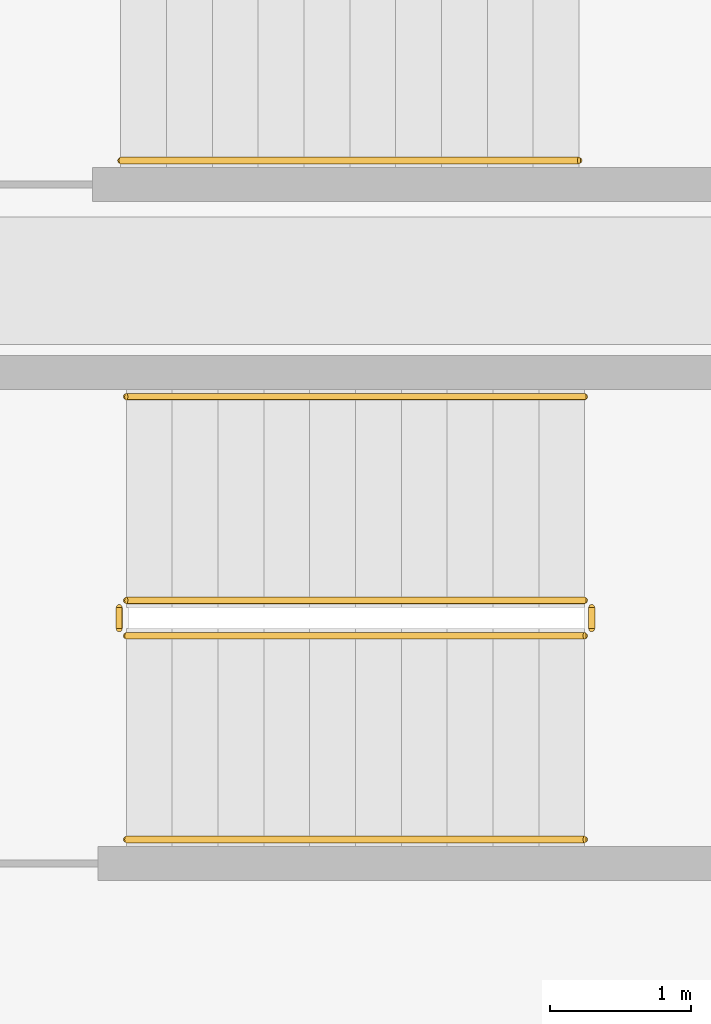
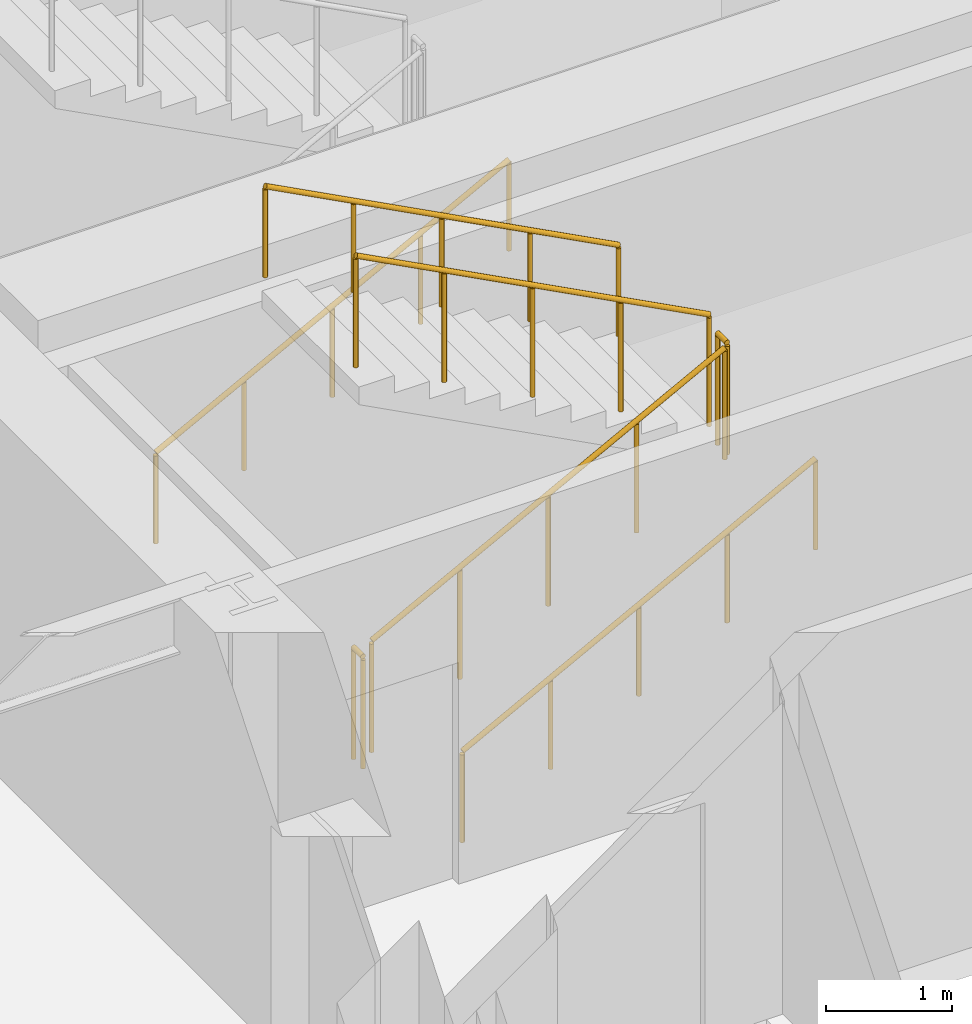
# One storey, part 12 of 15: 7 railings.
"""IFC4 building model written with IfcOpenShell, lengths in metres."""

from ifc_helpers import new_model, si_unit, direction, frame, origin, origin_2d, place, context, subcontext, project, spatial, circle, extrude, material, type_object, element, save


model = new_model("IFC4")

# Units and contexts
model_context = context("Model", 3, precision=1e-05, world=origin(), true_north=direction((0.0, 1.0)))
body_context = subcontext(model_context, "Body", "Model", "MODEL_VIEW")
ifc_project = project(units=[si_unit("LENGTHUNIT", "METRE"), si_unit("AREAUNIT", "SQUARE_METRE"), si_unit("VOLUMEUNIT", "CUBIC_METRE"), si_unit("PLANEANGLEUNIT", "RADIAN"), si_unit("MASSUNIT", "GRAM", prefix="KILO")], contexts=[model_context])

# Site, building, storey
site_placement = place(None, origin())
site = spatial("IfcSite", under=ifc_project, at=site_placement, CompositionType="ELEMENT")
building_placement = place(site_placement, origin())
building = spatial("IfcBuilding", under=site, at=building_placement, Name="Kolvaren Arena Tower", CompositionType="ELEMENT")
storey_placement = place(building_placement, frame((0.0, 0.0, 107.199951171875)))
storey = spatial("IfcBuildingStorey", under=building, at=storey_placement, Name="L24", CompositionType="ELEMENT", Elevation=107.199951171875)

# Railings
ifc_material_1 = material(Name="Painted galvanized steel", Category="steel")
railing_type_1 = type_object("IfcRailingType", Name="GUARD-ST-110", PredefinedType="GUARDRAIL", material=ifc_material_1)
railing_1_placement = place(storey_placement, frame((52.719970703125, 31.639892578125, 0.17041015625)))
element("IfcRailing", 1, at=railing_1_placement, inside=storey, type_object=railing_type_1, Name="L24 ST-E1 stair guard 1", PredefinedType="GUARDRAIL", context=body_context, shape_type="SweptSolid", body=[
    extrude(circle(Radius=0.02392578125, at=origin_2d()), frame((0.0, 0.0, 1.076171875), z_axis=(0.884993431791, 0.0, 0.465603506952), x_axis=(0.0, 1.0, 0.0)), (0.0, 0.0, 1.0), 3.6611328125),
    extrude(circle(Radius=0.02099609375, at=origin_2d()), origin(), (0.0, 0.0, 1.0), 1.052001953125),
    extrude(circle(Radius=0.02099609375, at=origin_2d()), frame((0.81005859375, 0.0, 0.42626953125)), (0.0, 0.0, 1.0), 1.052001953125),
    extrude(circle(Radius=0.02099609375, at=origin_2d()), frame((1.6201171875, 0.0, 0.852294921875)), (0.0, 0.0, 1.0), 1.052001953125),
    extrude(circle(Radius=0.02099609375, at=origin_2d()), frame((2.429931640625, 0.0, 1.2783203125)), (0.0, 0.0, 1.0), 1.052001953125),
    extrude(circle(Radius=0.02099609375, at=origin_2d()), frame((3.239990234375, 0.0, 1.70458984375)), (0.0, 0.0, 1.0), 1.052001953125),
])
railing_2_placement = place(storey_placement, frame((56.010009765625, 31.68994140625, 1.875)))
element("IfcRailing", 2, at=railing_2_placement, inside=storey, type_object=railing_type_1, Name="L24 ST-E1 stair guard 2", PredefinedType="GUARDRAIL", context=body_context, shape_type="SweptSolid", body=[
    extrude(circle(Radius=0.02392578125, at=origin_2d()), frame((0.0, 0.0, 1.076171875), z_axis=(0.0, 1.0, 0.0), x_axis=(-1.0, 0.0, 0.0)), (0.0, 0.0, 1.0), 0.150146484375),
    extrude(circle(Radius=0.02099609375, at=origin_2d()), origin(), (0.0, 0.0, 1.0), 1.052001953125),
    extrude(circle(Radius=0.02099609375, at=origin_2d()), frame((0.0, 0.150146484375, 0.0)), (0.0, 0.0, 1.0), 1.052001953125),
])
railing_3_placement = place(storey_placement, frame((55.9599609375, 31.889892578125, 2.04541015625)))
element("IfcRailing", 3, at=railing_3_placement, inside=storey, type_object=railing_type_1, Name="L24 ST-E1 stair guard 3", PredefinedType="GUARDRAIL", context=body_context, shape_type="SweptSolid", body=[
    extrude(circle(Radius=0.02392578125, at=origin_2d()), frame((0.0, 0.0, 1.076171875), z_axis=(-0.884993431791, 0.0, 0.465603506952), x_axis=(0.0, -1.0, 0.0)), (0.0, 0.0, 1.0), 3.6611328125),
    extrude(circle(Radius=0.02099609375, at=origin_2d()), origin(), (0.0, 0.0, 1.0), 1.052001953125),
    extrude(circle(Radius=0.02099609375, at=origin_2d()), frame((-0.81005859375, 0.0, 0.42626953125)), (0.0, 0.0, 1.0), 1.052001953125),
    extrude(circle(Radius=0.02099609375, at=origin_2d()), frame((-1.6201171875, 0.0, 0.852294921875)), (0.0, 0.0, 1.0), 1.052001953125),
    extrude(circle(Radius=0.02099609375, at=origin_2d()), frame((-2.429931640625, 0.0, 1.2783203125)), (0.0, 0.0, 1.0), 1.052001953125),
    extrude(circle(Radius=0.02099609375, at=origin_2d()), frame((-3.239990234375, 0.0, 1.70458984375)), (0.0, 0.0, 1.0), 1.052001953125),
])
railing_4_placement = place(storey_placement, frame((52.669921875, 31.68994140625, 0.0)))
element("IfcRailing", 4, at=railing_4_placement, inside=storey, type_object=railing_type_1, Name="L24 ST-E1 stair guard 4", PredefinedType="GUARDRAIL", context=body_context, shape_type="SweptSolid", body=[
    extrude(circle(Radius=0.02392578125, at=origin_2d()), frame((0.0, 0.0, 1.076171875), z_axis=(0.0, 1.0, 0.0), x_axis=(-1.0, 0.0, 0.0)), (0.0, 0.0, 1.0), 0.150146484375),
    extrude(circle(Radius=0.02099609375, at=origin_2d()), origin(), (0.0, 0.0, 1.0), 1.052001953125),
    extrude(circle(Radius=0.02099609375, at=origin_2d()), frame((0.0, 0.150146484375, 0.0)), (0.0, 0.0, 1.0), 1.052001953125),
])
ifc_material_2 = material(Name="Brushed stainless steel handrail", Category="steel")
railing_type_2 = type_object("IfcRailingType", Name="HRAIL-900", PredefinedType="HANDRAIL", material=ifc_material_2)
railing_5_placement = place(storey_placement, frame((52.719970703125, 30.199951171875, 0.17041015625)))
element("IfcRailing", 5, at=railing_5_placement, inside=storey, type_object=railing_type_2, Name="L24 ST-E1 stair handrail 1", PredefinedType="HANDRAIL", context=body_context, shape_type="SweptSolid", body=[
    extrude(circle(Radius=0.02392578125, at=origin_2d()), frame((0.0, 0.0, 0.8759765625), z_axis=(0.884993431791, 0.0, 0.465603506952), x_axis=(0.0, 1.0, 0.0)), (0.0, 0.0, 1.0), 3.6611328125),
    extrude(circle(Radius=0.02099609375, at=origin_2d()), origin(), (0.0, 0.0, 1.0), 0.851806640625),
    extrude(circle(Radius=0.02099609375, at=origin_2d()), frame((0.81005859375, 0.0, 0.42626953125)), (0.0, 0.0, 1.0), 0.851806640625),
    extrude(circle(Radius=0.02099609375, at=origin_2d()), frame((1.6201171875, 0.0, 0.852294921875)), (0.0, 0.0, 1.0), 0.851806640625),
    extrude(circle(Radius=0.02099609375, at=origin_2d()), frame((2.429931640625, 0.0, 1.2783203125)), (0.0, 0.0, 1.0), 0.851806640625),
    extrude(circle(Radius=0.02099609375, at=origin_2d()), frame((3.239990234375, 0.0, 1.70458984375)), (0.0, 0.0, 1.0), 0.851806640625),
])
railing_6_placement = place(storey_placement, frame((55.9599609375, 33.330078125, 2.04541015625)))
element("IfcRailing", 6, at=railing_6_placement, inside=storey, type_object=railing_type_2, Name="L24 ST-E1 stair handrail 2", PredefinedType="HANDRAIL", context=body_context, shape_type="SweptSolid", body=[
    extrude(circle(Radius=0.02392578125, at=origin_2d()), frame((0.0, 0.0, 0.8759765625), z_axis=(-0.884993431791, 0.0, 0.465603506952), x_axis=(0.0, -1.0, 0.0)), (0.0, 0.0, 1.0), 3.6611328125),
    extrude(circle(Radius=0.02099609375, at=origin_2d()), origin(), (0.0, 0.0, 1.0), 0.851806640625),
    extrude(circle(Radius=0.02099609375, at=origin_2d()), frame((-0.81005859375, 0.0, 0.42626953125)), (0.0, 0.0, 1.0), 0.851806640625),
    extrude(circle(Radius=0.02099609375, at=origin_2d()), frame((-1.6201171875, 0.0, 0.852294921875)), (0.0, 0.0, 1.0), 0.851806640625),
    extrude(circle(Radius=0.02099609375, at=origin_2d()), frame((-2.429931640625, 0.0, 1.2783203125)), (0.0, 0.0, 1.0), 0.851806640625),
    extrude(circle(Radius=0.02099609375, at=origin_2d()), frame((-3.239990234375, 0.0, 1.70458984375)), (0.0, 0.0, 1.0), 0.851806640625),
])
railing_7_placement = place(storey_placement, frame((52.679931640625, 35.0, 0.17041015625)))
element("IfcRailing", 7, at=railing_7_placement, inside=storey, type_object=railing_type_2, Name="L24 ST-E2 stair handrail 1", PredefinedType="HANDRAIL", context=body_context, shape_type="SweptSolid", body=[
    extrude(circle(Radius=0.02392578125, at=origin_2d()), frame((0.0, 0.0, 0.8759765625), z_axis=(0.884993431791, 0.0, 0.465603506952), x_axis=(0.0, 1.0, 0.0)), (0.0, 0.0, 1.0), 3.6611328125),
    extrude(circle(Radius=0.02099609375, at=origin_2d()), origin(), (0.0, 0.0, 1.0), 0.851806640625),
    extrude(circle(Radius=0.02099609375, at=origin_2d()), frame((0.81005859375, 0.0, 0.42626953125)), (0.0, 0.0, 1.0), 0.851806640625),
    extrude(circle(Radius=0.02099609375, at=origin_2d()), frame((1.6201171875, 0.0, 0.852294921875)), (0.0, 0.0, 1.0), 0.851806640625),
    extrude(circle(Radius=0.02099609375, at=origin_2d()), frame((2.429931640625, 0.0, 1.2783203125)), (0.0, 0.0, 1.0), 0.851806640625),
    extrude(circle(Radius=0.02099609375, at=origin_2d()), frame((3.239990234375, 0.0, 1.70458984375)), (0.0, 0.0, 1.0), 0.851806640625),
])

save(model, "model.ifc")
